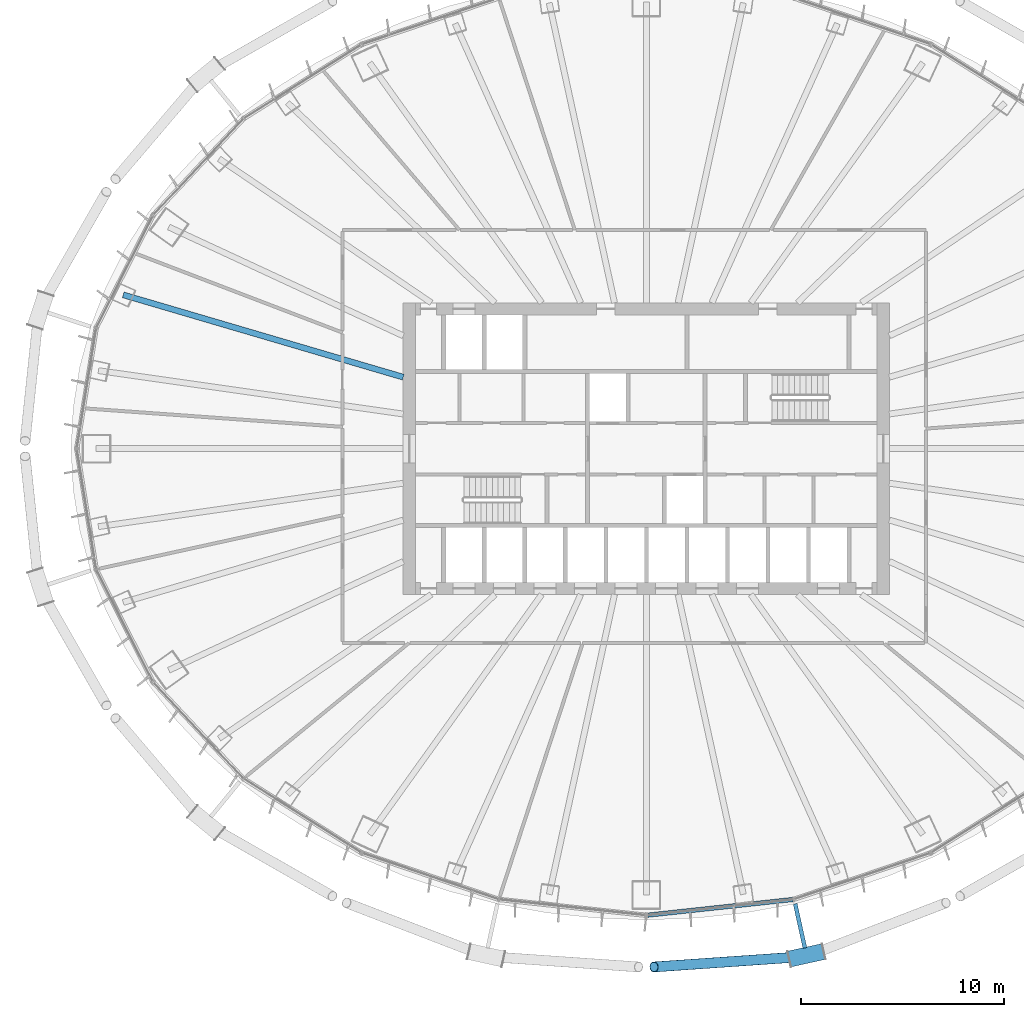
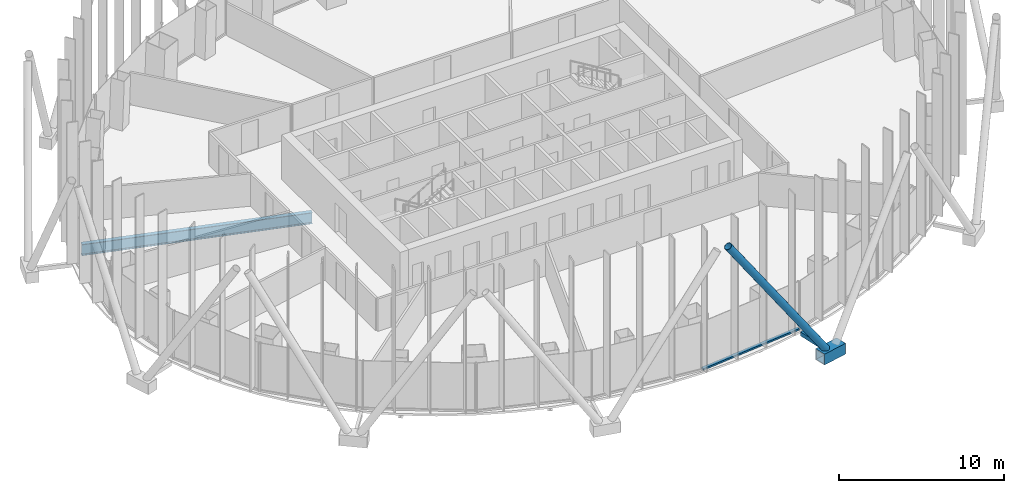
# One storey, part 3 of 22: 4 members, 1 beam, 1 element without a shape of its own.
"""IFC4 building model written with IfcOpenShell, lengths in metres."""

import ifcopenshell
import ifcopenshell.guid

model = None  # the IFC model being written
_history = None  # IfcOwnerHistory: only IFC2X3 demands one
_inside = {}  # id of a spatial element -> (the spatial element, [elements in it])
_under = {}  # id of a project, library or spatial element -> (it, [spatial elements below it])
_declared = {}  # id of a project -> (the project, [libraries it declares])
_typed = {}  # id of a type object -> (the type object, [elements of that type])
_made_of = {}  # id of a material, layer set ... -> (it, [elements and type objects made of it])


def new_model(schema):
    """Start an empty IFC model of exactly this schema.

    Asked for "IFC4X3", IfcOpenShell would pick the latest addendum, in which some entities
    have other attributes; the version numbers below select the first issue.
    IFC2X3 requires an IfcOwnerHistory on every rooted entity: one is made here for all.
    """
    global model, _history
    if schema == "IFC4X3":
        model = ifcopenshell.file(schema_version=(4, 3, 0, 0))
    else:
        model = ifcopenshell.file(schema=schema)
    _inside.clear()
    _under.clear()
    _declared.clear()
    _typed.clear()
    _made_of.clear()
    _history = None
    if model.schema == "IFC2X3":
        org = make("IfcOrganization", Name="unknown")
        user = make(
            "IfcPersonAndOrganization",
            ThePerson=make("IfcPerson", FamilyName="unknown"),
            TheOrganization=org,
        )
        app = make(
            "IfcApplication",
            ApplicationDeveloper=org,
            Version="unknown",
            ApplicationFullName="unknown",
            ApplicationIdentifier="unknown",
        )
        _history = make(
            "IfcOwnerHistory",
            OwningUser=user,
            OwningApplication=app,
            ChangeAction="ADDED",
            CreationDate=0,
        )
    return model


def make(cls, **values):
    """One entity of the class cls with the attributes given. An attribute that is None is left unset."""
    return model.create_entity(
        cls, **{name: value for name, value in values.items() if value is not None}
    )


def rooted(cls, **values):
    """An entity with a GlobalId (a new one), such as an element, a storey or a relation."""
    return make(cls, GlobalId=ifcopenshell.guid.new(), OwnerHistory=_history, **values)


def si_unit(unit_type, name, prefix=None):
    """IfcSIUnit, for example si_unit("LENGTHUNIT", "METRE", prefix="MILLI")."""
    return make("IfcSIUnit", UnitType=unit_type, Prefix=prefix, Name=name)


def assignment(units):
    """IfcUnitAssignment: the units of a project."""
    return None if units is None else make("IfcUnitAssignment", Units=units)


def point(xyz):
    """IfcCartesianPoint."""
    return None if xyz is None else make("IfcCartesianPoint", Coordinates=xyz)


def direction(xyz):
    """IfcDirection."""
    return None if xyz is None else make("IfcDirection", DirectionRatios=xyz)


def frame(location, z_axis=None, x_axis=None):
    """IfcAxis2Placement3D, a coordinate frame: its origin and axes. An axis left out is left unset."""
    return make(
        "IfcAxis2Placement3D",
        Location=point(location),
        Axis=direction(z_axis),
        RefDirection=direction(x_axis),
    )


def frame_2d(location, x_axis=None):
    """IfcAxis2Placement2D, a coordinate frame in the plane: its origin and x axis."""
    return make(
        "IfcAxis2Placement2D", Location=point(location), RefDirection=direction(x_axis)
    )


def origin():
    """The frame at (0, 0, 0) with its axes left unset."""
    return frame((0.0, 0.0, 0.0))


def origin_2d():
    """The frame at (0, 0) in the plane with its x axis left unset."""
    return frame_2d((0.0, 0.0))


def place(relative_to, where):
    """IfcLocalPlacement: puts the frame where relative to a parent placement (None: the world)."""
    return make(
        "IfcLocalPlacement", PlacementRelTo=relative_to, RelativePlacement=where
    )


def context(
    kind, dimensions, precision=None, world=None, true_north=None, identifier=None
):
    """IfcGeometricRepresentationContext, for example the 3D "Model" context."""
    return make(
        "IfcGeometricRepresentationContext",
        ContextIdentifier=identifier,
        ContextType=kind,
        CoordinateSpaceDimension=dimensions,
        Precision=precision,
        WorldCoordinateSystem=world,
        TrueNorth=true_north,
    )


def subcontext(parent, identifier, kind, view, scale=None):
    """IfcGeometricRepresentationSubContext, for example "Body" below "Model"."""
    return make(
        "IfcGeometricRepresentationSubContext",
        ContextIdentifier=identifier,
        ContextType=kind,
        ParentContext=parent,
        TargetScale=scale,
        TargetView=view,
    )


def project(units=None, contexts=None):
    """IfcProject with its units and contexts."""
    return rooted(
        "IfcProject",
        Name="project",
        RepresentationContexts=contexts,
        UnitsInContext=assignment(units),
    )


def spatial(cls, under=None, at=None, **own):
    """A site, building, storey or space (cls), placed at a placement, below another one or the project."""
    s = rooted(cls, ObjectPlacement=at, **own)
    if under is not None:
        _under.setdefault(under.id(), (under, []))[1].append(s)
    return s


def profile(cls, at=None, kind="AREA", **sizes):
    """A parametric profile (cls). Its sizes go by their IFC names, for example OverallWidth=200.0."""
    return make(cls, ProfileType=kind, Position=at, **sizes)


def rectangle(**sizes):
    """IfcRectangleProfileDef."""
    return profile("IfcRectangleProfileDef", **sizes)


def hollow_rectangle(**sizes):
    """IfcRectangleHollowProfileDef."""
    return profile("IfcRectangleHollowProfileDef", **sizes)


def hollow_circle(**sizes):
    """IfcCircleHollowProfileDef."""
    return profile("IfcCircleHollowProfileDef", **sizes)


def i_section(**sizes):
    """IfcIShapeProfileDef."""
    return profile("IfcIShapeProfileDef", **sizes)


def extrude(swept, where, along, depth):
    """IfcExtrudedAreaSolid: the profile swept, set in the frame where, extruded along a direction by depth."""
    return make(
        "IfcExtrudedAreaSolid",
        SweptArea=swept,
        Position=where,
        ExtrudedDirection=direction(along),
        Depth=depth,
    )


def shape(context_of_items, identifier, shape_type, items):
    """IfcShapeRepresentation: the items that make up one representation, for example the "Body"."""
    return make(
        "IfcShapeRepresentation",
        ContextOfItems=context_of_items,
        RepresentationIdentifier=identifier,
        RepresentationType=shape_type,
        Items=items,
    )


def material(Name=None, Category=None):
    """IfcMaterial."""
    return make("IfcMaterial", Name=Name, Category=Category)


def layer(
    of_material, thickness, ventilated=None, Name=None, Category=None, Priority=None
):
    """IfcMaterialLayer: one layer of a wall or slab, of a material (None: an air gap)."""
    return make(
        "IfcMaterialLayer",
        Material=of_material,
        LayerThickness=thickness,
        IsVentilated=ventilated,
        Name=Name,
        Category=Category,
        Priority=Priority,
    )


def layer_set(layers, Name=None):
    """IfcMaterialLayerSet."""
    return make("IfcMaterialLayerSet", MaterialLayers=layers, LayerSetName=Name)


def material_profile(
    of_material, cross_section, Name=None, Category=None, Priority=None
):
    """IfcMaterialProfile: a cross section and its material."""
    return make(
        "IfcMaterialProfile",
        Name=Name,
        Material=of_material,
        Profile=cross_section,
        Priority=Priority,
        Category=Category,
    )


def profile_set(profiles, Name=None, composite=None):
    """IfcMaterialProfileSet."""
    return make(
        "IfcMaterialProfileSet",
        Name=Name,
        MaterialProfiles=profiles,
        CompositeProfile=composite,
    )


def made_of(thing, what):
    """Note that an element or type object is made of a material, layer set ...; save() writes the relation."""
    if what is not None:
        _made_of.setdefault(what.id(), (what, []))[1].append(thing)
    return thing


def type_object(cls, material=None, **own):
    """A type object (cls), such as IfcWallType, which elements share."""
    return made_of(rooted(cls, **own), material)


def element(
    cls,
    number,
    at=None,
    inside=None,
    cuts=None,
    type_object=None,
    material=None,
    context=None,
    identifier="Body",
    shape_type=None,
    held_by="IfcProductDefinitionShape",
    body=None,
    shapes=None,
    **own,
):
    """One element of the class cls, such as IfcWall. Its Tag is "e" and its number.

    at: its placement. inside: the storey or other place that contains it. cuts: it is an
    opening in that element (IfcRelVoidsElement). A single representation is given by context,
    identifier, shape_type and body (its items); several are given by shapes. held_by: the class
    of the entity that holds the representations. save() writes the other relations.
    """
    e = rooted(cls, Tag="e%d" % number, ObjectPlacement=at, **own)
    if body is not None:
        shapes = [shape(context, identifier, shape_type, body)]
    if shapes is not None:
        e.Representation = make(held_by, Representations=shapes)
    if inside is not None:
        _inside.setdefault(inside.id(), (inside, []))[1].append(e)
    if cuts is not None:
        rooted(
            "IfcRelVoidsElement", RelatingBuildingElement=cuts, RelatedOpeningElement=e
        )
    if type_object is not None:
        _typed.setdefault(type_object.id(), (type_object, []))[1].append(e)
    return made_of(e, material)


def aggregate(whole, parts):
    """IfcRelAggregates: a whole, such as a stair, and the parts it consists of."""
    return rooted("IfcRelAggregates", RelatingObject=whole, RelatedObjects=parts)


def save(model, path):
    """Write the relations noted so far, then the file.

    IfcRelAggregates (storeys below a building ...), IfcRelContainedInSpatialStructure (elements
    in a storey), IfcRelDefinesByType, IfcRelAssociatesMaterial and IfcRelDeclares: one each for
    every whole, place, type object, material and project.
    """
    for whole, parts in _under.values():
        aggregate(whole, parts)
    for where, things in _inside.values():
        rooted(
            "IfcRelContainedInSpatialStructure",
            RelatedElements=things,
            RelatingStructure=where,
        )
    for kind, things in _typed.values():
        rooted("IfcRelDefinesByType", RelatedObjects=things, RelatingType=kind)
    for what, things in _made_of.values():
        rooted("IfcRelAssociatesMaterial", RelatedObjects=things, RelatingMaterial=what)
    for by, libraries in _declared.values():
        rooted("IfcRelDeclares", RelatingContext=by, RelatedDefinitions=libraries)
    model.write(path)


model = new_model("IFC4")

# Units and contexts
model_context = context("Model", 3, precision=1e-05, world=origin(), true_north=direction((0.0, 1.0)))
body_context = subcontext(model_context, "Body", "Model", "MODEL_VIEW")
ifc_project = project(units=[si_unit("LENGTHUNIT", "METRE"), si_unit("AREAUNIT", "SQUARE_METRE"), si_unit("VOLUMEUNIT", "CUBIC_METRE"), si_unit("PLANEANGLEUNIT", "RADIAN"), si_unit("MASSUNIT", "GRAM", prefix="KILO")], contexts=[model_context])

# Site, building, storey
site_placement = place(None, origin())
site = spatial("IfcSite", under=ifc_project, at=site_placement, CompositionType="ELEMENT")
building_placement = place(site_placement, origin())
building = spatial("IfcBuilding", under=site, at=building_placement, Name="Siaravel Broadcast Tower", CompositionType="ELEMENT")
storey_placement = place(building_placement, frame((0.0, 0.0, 37.10009765625)))
storey = spatial("IfcBuildingStorey", under=building, at=storey_placement, Name="L07", CompositionType="ELEMENT", Elevation=37.10009765625)

# Beam
ifc_material_1 = material(Name="Steel S355", Category="steel")
ifc_material_profile_1 = material_profile(ifc_material_1, i_section(OverallWidth=0.291748046875, OverallDepth=0.8349609375, WebThickness=0.013916015625, FlangeThickness=0.018798828125, FilletRadius=0.017822265625, at=origin_2d()))
ifc_profile_set_1 = profile_set([ifc_material_profile_1], Name="Steel S355")
beam_type = type_object("IfcBeamType", Name="BM-UB 838x292x176", PredefinedType="BEAM", material=ifc_profile_set_1)
beam_placement = place(storey_placement, frame((-25.822998046875, 7.591796875, -0.5673828125), z_axis=(0.959395986, -0.282062657, 0.0), x_axis=(0.282062657, 0.959395986, 0.0)))
element("IfcBeam", 1, at=beam_placement, inside=storey, type_object=beam_type, Name="Radial beam RB17", PredefinedType="BEAM", context=body_context, shape_type="SweptSolid", body=[
    extrude(i_section(OverallWidth=0.291748046875, OverallDepth=0.8349609375, WebThickness=0.013916015625, FlangeThickness=0.018798828125, FilletRadius=0.017822265625, at=origin_2d()), origin(), (0.0, 0.0, 1.0), 14.407958984375),
])

# Curtain wall, member
ifc_material_2 = material(Name="Aluminium 6063-T6", Category="aluminium")
ifc_layer = layer(ifc_material_2, 0.219970703125)
ifc_layer_set = layer_set([ifc_layer], Name="Aluminium 6063-T6")
curtain_wall_type = type_object("IfcCurtainWallType", Name="Unitised curtain wall, zone 1", PredefinedType="NOTDEFINED", material=ifc_layer_set)
curtain_wall_placement = place(storey_placement, origin())
curtain_wall = element("IfcCurtainWall", 2, at=curtain_wall_placement, inside=storey, type_object=curtain_wall_type, Name="L07 Unitised curtain wall, zone 1 10", PredefinedType="NOTDEFINED")
ifc_material_profile_2 = material_profile(ifc_material_2, rectangle(XDim=0.219970703125, YDim=0.1201171875, at=origin_2d()))
ifc_profile_set_2 = profile_set([ifc_material_profile_2], Name="Aluminium 6063-T6")
member_type_1 = type_object("IfcMemberType", Name="CW-Z1 transom", PredefinedType="USERDEFINED", material=ifc_profile_set_2)
member_1_placement = place(storey_placement, frame((0.069580078125, -23.03173828125, 0.059814453125), z_axis=(0.994236438, 0.107209629, 0.0), x_axis=(-0.107209629, 0.994236438, 0.0)))
member_1 = element("IfcMember", 3, at=member_1_placement, type_object=member_type_1, Name="CW-Z1 transom 1", ObjectType="TRANSOM", PredefinedType="USERDEFINED", context=body_context, shape_type="SweptSolid", body=[
    extrude(rectangle(XDim=0.219970703125, YDim=0.1201171875, at=origin_2d()), origin(), (0.0, 0.0, 1.0), 7.2119140625),
])
aggregate(curtain_wall, [member_1])

# Members
ifc_material_3 = material(Name="Steel S460", Category="steel")
ifc_material_profile_3 = material_profile(ifc_material_3, hollow_circle(Radius=0.25390625, WallThickness=0.02001953125, at=origin_2d()))
ifc_profile_set_3 = profile_set([ifc_material_profile_3], Name="Steel S460")
member_type_2 = type_object("IfcMemberType", Name="Diagrid diagonal CHS 508x20", PredefinedType="BRACE", material=ifc_profile_set_3)
member_2_placement = place(storey_placement, frame((7.5380859375, -25.09375, 0.169921875), z_axis=(-0.566194211, -0.039198358, 0.823339301), x_axis=(0.069065976, -0.997612094, 0.0)))
element("IfcMember", 4, at=member_2_placement, inside=storey, type_object=member_type_2, Name="Diagrid diagonal R04 station 57C", PredefinedType="BRACE", context=body_context, shape_type="SweptSolid", body=[
    extrude(hollow_circle(Radius=0.25390625, WallThickness=0.02001953125, at=origin_2d()), origin(), (0.0, 0.0, 1.0), 12.6435546875),
])
ifc_material_profile_4 = material_profile(ifc_material_3, hollow_rectangle(XDim=0.800048828125, YDim=0.800048828125, WallThickness=0.050048828125, at=origin_2d()))
ifc_profile_set_4 = profile_set([ifc_material_profile_4], Name="Steel S460")
member_type_3 = type_object("IfcMemberType", Name="Diagrid node BOX 800x800x50", PredefinedType="USERDEFINED", material=ifc_profile_set_4)
member_3_placement = place(storey_placement, frame((7.068359375, -25.197021484375, -0.2001953125), z_axis=(0.976724775, 0.214496421, 0.0), x_axis=(-0.214496421, 0.976724775, 0.0)))
element("IfcMember", 5, at=member_3_placement, inside=storey, type_object=member_type_3, Name="Diagrid node R04 station 57", ObjectType="DIAGRID NODE", PredefinedType="USERDEFINED", context=body_context, shape_type="SweptSolid", body=[
    extrude(hollow_rectangle(XDim=0.800048828125, YDim=0.800048828125, WallThickness=0.050048828125, at=origin_2d()), origin(), (0.0, 0.0, 1.0), 1.720947265625),
])
ifc_material_profile_5 = material_profile(ifc_material_3, hollow_rectangle(XDim=0.199951171875, YDim=0.300048828125, WallThickness=0.012451171875, at=origin_2d()))
ifc_profile_set_5 = profile_set([ifc_material_profile_5], Name="Steel S460")
member_type_4 = type_object("IfcMemberType", Name="Diagrid node arm RHS 300x200x12.5", PredefinedType="STRUT", material=ifc_profile_set_5)
member_4_placement = place(storey_placement, frame((7.351318359375, -22.472900390625, -0.2001953125), z_axis=(0.214460789, -0.976732599, 0.0), x_axis=(0.976732599, 0.214460789, 0.0)))
element("IfcMember", 6, at=member_4_placement, inside=storey, type_object=member_type_4, Name="Node arm R04 station 57", PredefinedType="STRUT", context=body_context, shape_type="SweptSolid", body=[
    extrude(hollow_rectangle(XDim=0.199951171875, YDim=0.300048828125, WallThickness=0.012451171875, at=origin_2d()), origin(), (0.0, 0.0, 1.0), 2.230224609375),
])

save(model, "model.ifc")
